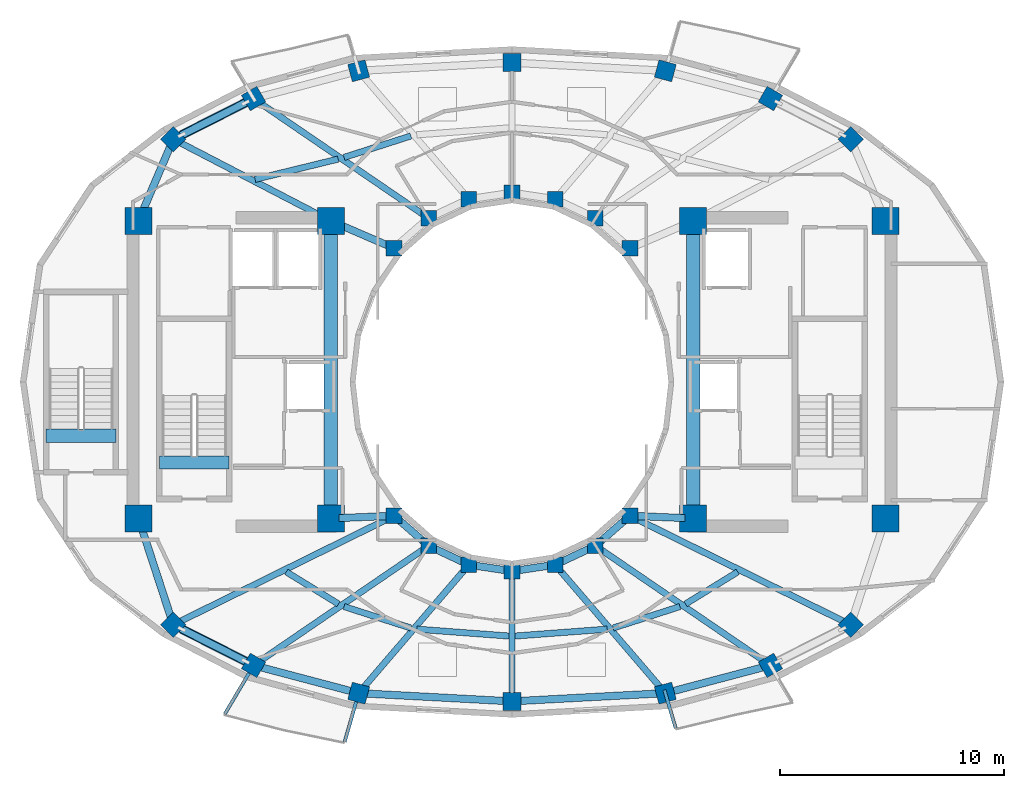
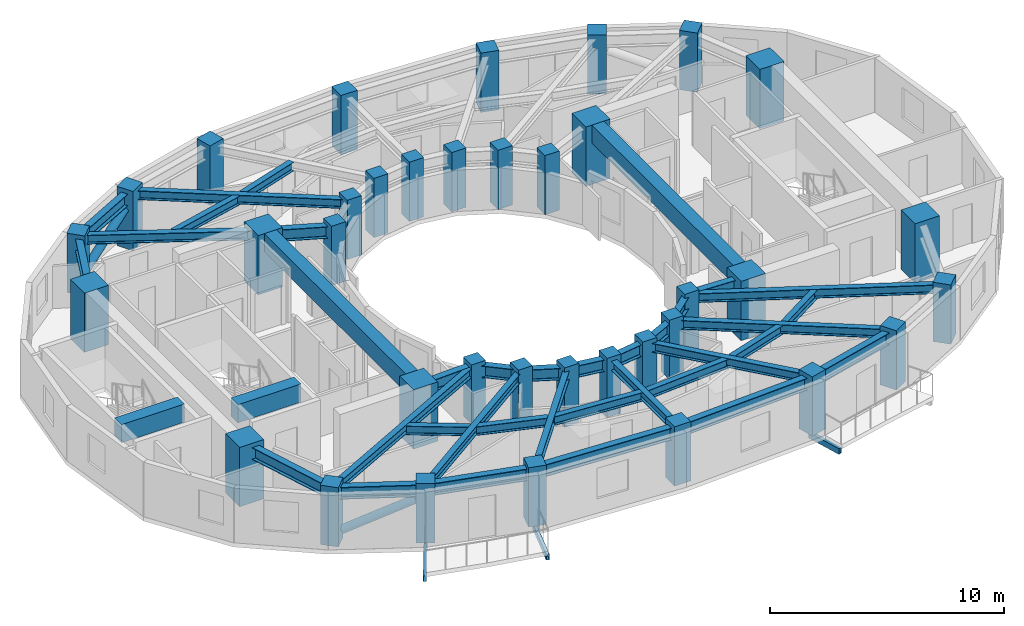
# One storey, part 1 of 10: 41 beams, 36 columns, 2 members.
"""IFC4 building model written with IfcOpenShell, lengths in metres."""

from ifc_helpers import new_model, si_unit, direction, frame, origin, origin_2d, place, context, subcontext, project, spatial, rectangle, hollow_rectangle, hollow_circle, i_section, extrude, material, material_profile, profile_set, type_object, element, save


model = new_model("IFC4")

# Units and contexts
model_context = context("Model", 3, precision=1e-05, world=origin(), true_north=direction((0.0, 1.0)))
body_context = subcontext(model_context, "Body", "Model", "MODEL_VIEW")
ifc_project = project(units=[si_unit("LENGTHUNIT", "METRE"), si_unit("AREAUNIT", "SQUARE_METRE"), si_unit("VOLUMEUNIT", "CUBIC_METRE"), si_unit("PLANEANGLEUNIT", "RADIAN"), si_unit("MASSUNIT", "GRAM", prefix="KILO")], contexts=[model_context])

# Site, building, storey
site_placement = place(None, origin())
site = spatial("IfcSite", under=ifc_project, at=site_placement, CompositionType="ELEMENT")
building_placement = place(site_placement, origin())
building = spatial("IfcBuilding", under=site, at=building_placement, Name="Solvane Sanctuary Tower", CompositionType="ELEMENT")
storey_placement = place(building_placement, frame((0.0, 0.0, 204.699951171875)))
storey = spatial("IfcBuildingStorey", under=building, at=storey_placement, Name="L62", CompositionType="ELEMENT", Elevation=204.699951171875)

# Columns
ifc_material_1 = material(Name="Concrete C50/60", Category="concrete")
ifc_material_profile_1 = material_profile(ifc_material_1, rectangle(XDim=0.699951171875, YDim=0.699951171875, at=origin_2d()), Name="RC700X700")
ifc_profile_set_1 = profile_set([ifc_material_profile_1], Name="Concrete C50/60")
column_type_1 = type_object("IfcColumnType", Name="Column C-RING-Z4 RC700X700", PredefinedType="COLUMN", material=ifc_profile_set_1)
for number, where, z_axis, x_axis, name in (
    (1, (37.27490234375, 28.982177734375, 0.0), (0.0, 0.0, 1.0), (1.0, 0.0, 0.0), "L62 Inner Light-Well Ring Column IC01"),
    (2, (35.72998046875, 30.32666015625, 0.0), (0.0, 0.0, 1.0), (1.0, 0.0, 0.0), "L62 Inner Light-Well Ring Column IC02"),
    (3, (33.930908203125, 31.171630859375, 0.0), (0.0, 0.0, 1.0), (1.0, 0.0, 0.0), "L62 Inner Light-Well Ring Column IC03"),
    (4, (32.0, 31.4599609375, 0.0), (0.0, 0.0, 1.0), (1.0, 0.0, 0.0), "L62 Inner Light-Well Ring Column IC04"),
    (5, (30.069091796875, 31.171630859375, 0.0), (0.0, 0.0, 1.0), (1.0, 0.0, 0.0), "L62 Inner Light-Well Ring Column IC05"),
    (6, (28.27001953125, 30.32666015625, 0.0), (0.0, 0.0, 1.0), (1.0, 0.0, 0.0), "L62 Inner Light-Well Ring Column IC06"),
    (7, (26.72509765625, 28.982177734375, 0.0), (0.0, 0.0, 1.0), (1.0, 0.0, 0.0), "L62 Inner Light-Well Ring Column IC07"),
    (8, (26.72509765625, 17.017822265625, 0.0), (0.0, 0.0, 1.0), (1.0, 0.0, 0.0), "L62 Inner Light-Well Ring Column IC08"),
    (9, (28.27001953125, 15.67333984375, 0.0), (0.0, 0.0, 1.0), (1.0, 0.0, 0.0), "L62 Inner Light-Well Ring Column IC09"),
    (10, (30.069091796875, 14.828369140625, 0.0), (0.0, 0.0, 1.0), (1.0, 0.0, 0.0), "L62 Inner Light-Well Ring Column IC10"),
    (11, (32.0, 14.5400390625, 0.0), (0.0, 0.0, 1.0), (1.0, 0.0, 0.0), "L62 Inner Light-Well Ring Column IC11"),
    (12, (33.930908203125, 14.828369140625, 0.0), (0.0, 0.0, 1.0), (1.0, 0.0, 0.0), "L62 Inner Light-Well Ring Column IC12"),
    (13, (35.72998046875, 15.67333984375, 0.0), (0.0, 0.0, 1.0), (1.0, 0.0, 0.0), "L62 Inner Light-Well Ring Column IC13"),
    (14, (37.27490234375, 17.017822265625, 0.0), (0.0, 0.0, 1.0), (1.0, 0.0, 0.0), "L62 Inner Light-Well Ring Column IC14"),
):
    element("IfcColumn", number, at=place(storey_placement, frame(where, z_axis=z_axis, x_axis=x_axis)), inside=storey, type_object=column_type_1, Name=name, PredefinedType="COLUMN", context=body_context, shape_type="SweptSolid", body=[
        extrude(rectangle(XDim=0.699951171875, YDim=0.699951171875, at=origin_2d()), origin(), (0.0, 0.0, 1.0), 3.10009765625),
    ])
ifc_material_2 = material(Name="Concrete C70/85", Category="concrete")
ifc_material_profile_2 = material_profile(ifc_material_2, rectangle(XDim=1.199951171875, YDim=1.199951171875, at=origin_2d()), Name="RC1200X1200")
ifc_profile_set_2 = profile_set([ifc_material_profile_2], Name="Concrete C70/85")
column_type_2 = type_object("IfcColumnType", Name="Column C-TUBE-Z1 RC1200X1200", PredefinedType="COLUMN", material=ifc_profile_set_2)
for number, where, z_axis, x_axis, name in (
    (15, (15.300048828125, 16.89990234375, 0.0), (0.0, 0.0, 1.0), (1.0, 0.0, 0.0), "L62 Core Corner Column CW1"),
    (16, (23.89990234375, 16.89990234375, 0.0), (0.0, 0.0, 1.0), (1.0, 0.0, 0.0), "L62 Core Corner Column CW2"),
    (17, (23.89990234375, 30.199951171875, 0.0), (0.0, 0.0, 1.0), (1.0, 0.0, 0.0), "L62 Core Corner Column CW3"),
    (18, (15.300048828125, 30.199951171875, 0.0), (0.0, 0.0, 1.0), (1.0, 0.0, 0.0), "L62 Core Corner Column CW4"),
    (19, (40.10009765625, 16.89990234375, 0.0), (0.0, 0.0, 1.0), (1.0, 0.0, 0.0), "L62 Core Corner Column CE1"),
    (20, (48.699951171875, 16.89990234375, 0.0), (0.0, 0.0, 1.0), (1.0, 0.0, 0.0), "L62 Core Corner Column CE2"),
    (21, (48.699951171875, 30.199951171875, 0.0), (0.0, 0.0, 1.0), (1.0, 0.0, 0.0), "L62 Core Corner Column CE3"),
    (22, (40.10009765625, 30.199951171875, 0.0), (0.0, 0.0, 1.0), (1.0, 0.0, 0.0), "L62 Core Corner Column CE4"),
):
    element("IfcColumn", number, at=place(storey_placement, frame(where, z_axis=z_axis, x_axis=x_axis)), inside=storey, type_object=column_type_2, Name=name, PredefinedType="COLUMN", context=body_context, shape_type="SweptSolid", body=[
        extrude(rectangle(XDim=1.199951171875, YDim=1.199951171875, at=origin_2d()), origin(), (0.0, 0.0, 1.0), 3.10009765625),
    ])
ifc_material_profile_3 = material_profile(ifc_material_1, rectangle(XDim=0.800048828125, YDim=0.800048828125, at=origin_2d()), Name="RC800X800")
ifc_profile_set_3 = profile_set([ifc_material_profile_3], Name="Concrete C50/60")
column_type_3 = type_object("IfcColumnType", Name="Column C-TUBE-Z4 RC800X800", PredefinedType="COLUMN", material=ifc_profile_set_3)
for number, where, z_axis, x_axis, name in (
    (23, (47.14501953125, 33.85693359375, 0.0), (0.0, 0.0, 1.0), (0.707106781187, 0.707106781187, 0.0), "L62 Perimeter Tube Column TC01"),
    (24, (43.55517578125, 35.672607421875, 0.0), (0.0, 0.0, 1.0), (0.5, 0.866025403784, 0.0), "L62 Perimeter Tube Column TC02"),
    (25, (38.856201171875, 36.914306640625, 0.0), (0.0, 0.0, 1.0), (0.258819045103, 0.965925826289, 0.0), "L62 Perimeter Tube Column TC03"),
    (26, (32.0, 37.280029296875, 0.0), (0.0, 0.0, 1.0), (0.0, 1.0, 0.0), "L62 Perimeter Tube Column TC04"),
    (27, (25.143798828125, 36.914306640625, 0.0), (0.0, 0.0, 1.0), (-0.258819045103, 0.965925826289, 0.0), "L62 Perimeter Tube Column TC05"),
    (28, (20.44482421875, 35.672607421875, 0.0), (0.0, 0.0, 1.0), (-0.5, 0.866025403784, 0.0), "L62 Perimeter Tube Column TC06"),
    (29, (16.85498046875, 33.85693359375, 0.0), (0.0, 0.0, 1.0), (-0.707106781187, 0.707106781187, 0.0), "L62 Perimeter Tube Column TC07"),
    (30, (16.85498046875, 12.14306640625, 0.0), (0.0, 0.0, 1.0), (-0.707106781187, -0.707106781187, 0.0), "L62 Perimeter Tube Column TC08"),
    (31, (20.44482421875, 10.327392578125, 0.0), (0.0, 0.0, 1.0), (-0.5, -0.866025403784, 0.0), "L62 Perimeter Tube Column TC09"),
    (32, (25.143798828125, 9.085693359375, 0.0), (0.0, 0.0, 1.0), (-0.258819045103, -0.965925826289, 0.0), "L62 Perimeter Tube Column TC10"),
    (33, (32.0, 8.719970703125, 0.0), (0.0, 0.0, 1.0), (0.0, -1.0, 0.0), "L62 Perimeter Tube Column TC11"),
    (34, (38.856201171875, 9.085693359375, 0.0), (0.0, 0.0, 1.0), (0.258819045103, -0.965925826289, 0.0), "L62 Perimeter Tube Column TC12"),
    (35, (43.55517578125, 10.327392578125, 0.0), (0.0, 0.0, 1.0), (0.5, -0.866025403784, 0.0), "L62 Perimeter Tube Column TC13"),
    (36, (47.14501953125, 12.14306640625, 0.0), (0.0, 0.0, 1.0), (0.707106781187, -0.707106781187, 0.0), "L62 Perimeter Tube Column TC14"),
):
    element("IfcColumn", number, at=place(storey_placement, frame(where, z_axis=z_axis, x_axis=x_axis)), inside=storey, type_object=column_type_3, Name=name, PredefinedType="COLUMN", context=body_context, shape_type="SweptSolid", body=[
        extrude(rectangle(XDim=0.800048828125, YDim=0.800048828125, at=origin_2d()), origin(), (0.0, 0.0, 1.0), 3.10009765625),
    ])

# Beams
ifc_material_3 = material(Name="Steel ASTM A500 Grade C", Category="steel")
ifc_material_profile_4 = material_profile(ifc_material_3, hollow_rectangle(XDim=0.14990234375, YDim=0.300048828125, WallThickness=0.010009765625, at=origin_2d()), Name="HSS300X150X10")
ifc_profile_set_4 = profile_set([ifc_material_profile_4], Name="Steel ASTM A500 Grade C")
beam_type_1 = type_object("IfcBeamType", Name="Beam B-BALC-BRK HSS300X150X10", PredefinedType="BEAM", material=ifc_profile_set_4)
beam_1_placement = place(storey_placement, frame((20.521484375, 10.456298828125, -0.3720703125), z_axis=(-0.509809885983, -0.860287091705, 0.0), x_axis=(0.860287091705, -0.509809885983, 0.0)))
element("IfcBeam", 37, at=beam_1_placement, inside=storey, type_object=beam_type_1, Name="L62 Balcony Bracket S1-1", PredefinedType="BEAM", context=body_context, shape_type="SweptSolid", body=[
    extrude(hollow_rectangle(XDim=0.14990234375, YDim=0.300048828125, WallThickness=0.010009765625, at=origin_2d()), origin(), (0.0, 0.0, 1.0), 2.678466796875),
])
beam_2_placement = place(storey_placement, frame((25.185302734375, 9.229736328125, -0.3720703125), z_axis=(-0.27680346203, -0.960926554638, 0.0), x_axis=(0.960926554638, -0.27680346203, 0.0)))
element("IfcBeam", 38, at=beam_2_placement, inside=storey, type_object=beam_type_1, Name="L62 Balcony Bracket S1-2", PredefinedType="BEAM", context=body_context, shape_type="SweptSolid", body=[
    extrude(hollow_rectangle(XDim=0.14990234375, YDim=0.300048828125, WallThickness=0.010009765625, at=origin_2d()), origin(), (0.0, 0.0, 1.0), 2.414794921875),
])
beam_3_placement = place(storey_placement, frame((38.813720703125, 9.2294921875, -0.3720703125), z_axis=(0.283366161068, -0.959011792817, 0.0), x_axis=(0.959011792817, 0.283366161068, 0.0)))
element("IfcBeam", 39, at=beam_3_placement, inside=storey, type_object=beam_type_1, Name="L62 Balcony Bracket S2-1", PredefinedType="BEAM", context=body_context, shape_type="SweptSolid", body=[
    extrude(hollow_rectangle(XDim=0.14990234375, YDim=0.300048828125, WallThickness=0.010009765625, at=origin_2d()), origin(), (0.0, 0.0, 1.0), 1.784423828125),
])
ifc_material_profile_5 = material_profile(ifc_material_2, rectangle(XDim=0.60009765625, YDim=0.949951171875, at=origin_2d()), Name="RC600X950")
ifc_profile_set_5 = profile_set([ifc_material_profile_5], Name="Concrete C70/85")
beam_type_2 = type_object("IfcBeamType", Name="Beam B-COUPLE RC600X950", PredefinedType="LINTEL", material=ifc_profile_set_5)
for number, where, z_axis, x_axis, name in (
    (40, (23.89990234375, 17.35009765625, 2.625), (0.0, 1.0, 0.0), (-1.0, 0.0, 0.0), "L62 West Core Coupling Lintel"),
    (41, (40.10009765625, 17.35009765625, 2.625), (0.0, 1.0, 0.0), (-1.0, 0.0, 0.0), "L62 East Core Coupling Lintel"),
):
    element("IfcBeam", number, at=place(storey_placement, frame(where, z_axis=z_axis, x_axis=x_axis)), inside=storey, type_object=beam_type_2, Name=name, PredefinedType="LINTEL", context=body_context, shape_type="SweptSolid", body=[
        extrude(rectangle(XDim=0.60009765625, YDim=0.949951171875, at=origin_2d()), origin(), (0.0, 0.0, 1.0), 12.39990234375),
    ])
for number, where, z_axis, x_axis, name in (
    (42, (16.22998046875, 19.399169921875, 2.625), (1.0, 0.0, 0.0), (0.0, 1.0, 0.0), "L62 ST-1 Stair Floor Landing Trimmer"),
    (43, (11.169921875, 20.59912109375, 2.625), (1.0, 0.0, 0.0), (0.0, 1.0, 0.0), "L62 ST-3 Stair Floor Landing Trimmer"),
):
    element("IfcBeam", number, at=place(storey_placement, frame(where, z_axis=z_axis, x_axis=x_axis)), inside=storey, type_object=beam_type_2, Name=name, PredefinedType="LINTEL", context=body_context, shape_type="SweptSolid", body=[
        extrude(rectangle(XDim=0.60009765625, YDim=0.949951171875, at=origin_2d()), origin(), (0.0, 0.0, 1.0), 3.1201171875),
    ])
ifc_material_4 = material(Name="Steel ASTM A992 Grade 50", Category="steel")
ifc_material_profile_6 = material_profile(ifc_material_4, i_section(OverallWidth=0.282958984375, OverallDepth=0.471923828125, WebThickness=0.013671875, FlangeThickness=0.022216796875, FilletRadius=0.013916015625, at=origin_2d()), Name="W18X97")
ifc_profile_set_6 = profile_set([ifc_material_profile_6], Name="Steel ASTM A992 Grade 50")
beam_type_3 = type_object("IfcBeamType", Name="Beam B-RAD-Z4 W18X97", PredefinedType="JOIST", material=ifc_profile_set_6)
beam_4_placement = place(storey_placement, frame((28.038818359375, 30.484619140625, 2.64208984375), z_axis=(-0.825707980649, 0.564097802418, 0.0), x_axis=(-0.564097802418, -0.825707980649, 0.0)))
element("IfcBeam", 44, at=beam_4_placement, inside=storey, type_object=beam_type_3, Name="L62 Radial Composite Floor Beam 06", PredefinedType="JOIST", context=body_context, shape_type="SweptSolid", body=[
    extrude(i_section(OverallWidth=0.282958984375, OverallDepth=0.471923828125, WebThickness=0.013671875, FlangeThickness=0.022216796875, FilletRadius=0.013916015625, at=origin_2d()), origin(), (0.0, 0.0, 1.0), 8.9169921875),
])
beam_5_placement = place(storey_placement, frame((23.58056640625, 30.365966796875, 2.64208984375), z_axis=(-0.887553429209, 0.460704797348, 0.0), x_axis=(-0.460704797348, -0.887553429209, 0.0)))
element("IfcBeam", 45, at=beam_5_placement, inside=storey, type_object=beam_type_3, Name="L62 Radial Composite Floor Beam 07", PredefinedType="JOIST", context=body_context, shape_type="SweptSolid", body=[
    extrude(i_section(OverallWidth=0.282958984375, OverallDepth=0.471923828125, WebThickness=0.013671875, FlangeThickness=0.022216796875, FilletRadius=0.013916015625, at=origin_2d()), origin(), (0.0, 0.0, 1.0), 7.297607421875),
])
beam_6_placement = place(storey_placement, frame((26.47412109375, 16.893798828125, 2.64208984375), z_axis=(-0.896608256549, -0.442824608946, 0.0), x_axis=(0.442824608946, -0.896608256549, 0.0)))
element("IfcBeam", 46, at=beam_6_placement, inside=storey, type_object=beam_type_3, Name="L62 Radial Composite Floor Beam 08", PredefinedType="JOIST", context=body_context, shape_type="SweptSolid", body=[
    extrude(i_section(OverallWidth=0.282958984375, OverallDepth=0.471923828125, WebThickness=0.013671875, FlangeThickness=0.022216796875, FilletRadius=0.013916015625, at=origin_2d()), origin(), (0.0, 0.0, 1.0), 10.4482421875),
])
beam_7_placement = place(storey_placement, frame((28.038818359375, 15.515380859375, 2.64208984375), z_axis=(-0.825707980649, -0.564097802418, 0.0), x_axis=(0.564097802418, -0.825707980649, 0.0)))
element("IfcBeam", 47, at=beam_7_placement, inside=storey, type_object=beam_type_3, Name="L62 Radial Composite Floor Beam 09", PredefinedType="JOIST", context=body_context, shape_type="SweptSolid", body=[
    extrude(i_section(OverallWidth=0.282958984375, OverallDepth=0.471923828125, WebThickness=0.013671875, FlangeThickness=0.022216796875, FilletRadius=0.013916015625, at=origin_2d()), origin(), (0.0, 0.0, 1.0), 8.9169921875),
])
beam_8_placement = place(storey_placement, frame((29.886962890625, 14.61572265625, 2.64208984375), z_axis=(-0.651023809724, -0.759057309544, 0.0), x_axis=(0.759057309544, -0.651023809724, 0.0)))
element("IfcBeam", 48, at=beam_8_placement, inside=storey, type_object=beam_type_3, Name="L62 Radial Composite Floor Beam 10", PredefinedType="JOIST", context=body_context, shape_type="SweptSolid", body=[
    extrude(i_section(OverallWidth=0.282958984375, OverallDepth=0.471923828125, WebThickness=0.013671875, FlangeThickness=0.022216796875, FilletRadius=0.013916015625, at=origin_2d()), origin(), (0.0, 0.0, 1.0), 7.005615234375),
])
beam_9_placement = place(storey_placement, frame((32.0, 14.260009765625, 2.64208984375), z_axis=(0.0, -1.0, 0.0), x_axis=(1.0, 0.0, 0.0)))
element("IfcBeam", 49, at=beam_9_placement, inside=storey, type_object=beam_type_3, Name="L62 Radial Composite Floor Beam 11", PredefinedType="JOIST", context=body_context, shape_type="SweptSolid", body=[
    extrude(i_section(OverallWidth=0.282958984375, OverallDepth=0.471923828125, WebThickness=0.013671875, FlangeThickness=0.022216796875, FilletRadius=0.013916015625, at=origin_2d()), origin(), (0.0, 0.0, 1.0), 5.260009765625),
])
beam_10_placement = place(storey_placement, frame((34.113037109375, 14.61572265625, 2.64208984375), z_axis=(0.651023809724, -0.759057309544, 0.0), x_axis=(0.759057309544, 0.651023809724, 0.0)))
element("IfcBeam", 50, at=beam_10_placement, inside=storey, type_object=beam_type_3, Name="L62 Radial Composite Floor Beam 12", PredefinedType="JOIST", context=body_context, shape_type="SweptSolid", body=[
    extrude(i_section(OverallWidth=0.282958984375, OverallDepth=0.471923828125, WebThickness=0.013671875, FlangeThickness=0.022216796875, FilletRadius=0.013916015625, at=origin_2d()), origin(), (0.0, 0.0, 1.0), 7.005615234375),
])
beam_11_placement = place(storey_placement, frame((35.961181640625, 15.515380859375, 2.64208984375), z_axis=(0.825707980649, -0.564097802418, 0.0), x_axis=(0.564097802418, 0.825707980649, 0.0)))
element("IfcBeam", 51, at=beam_11_placement, inside=storey, type_object=beam_type_3, Name="L62 Radial Composite Floor Beam 13", PredefinedType="JOIST", context=body_context, shape_type="SweptSolid", body=[
    extrude(i_section(OverallWidth=0.282958984375, OverallDepth=0.471923828125, WebThickness=0.013671875, FlangeThickness=0.022216796875, FilletRadius=0.013916015625, at=origin_2d()), origin(), (0.0, 0.0, 1.0), 8.9169921875),
])
beam_12_placement = place(storey_placement, frame((37.52587890625, 16.893798828125, 2.64208984375), z_axis=(0.896608256549, -0.442824608946, 0.0), x_axis=(0.442824608946, 0.896608256549, 0.0)))
element("IfcBeam", 52, at=beam_12_placement, inside=storey, type_object=beam_type_3, Name="L62 Radial Composite Floor Beam 14", PredefinedType="JOIST", context=body_context, shape_type="SweptSolid", body=[
    extrude(i_section(OverallWidth=0.282958984375, OverallDepth=0.471923828125, WebThickness=0.013671875, FlangeThickness=0.022216796875, FilletRadius=0.013916015625, at=origin_2d()), origin(), (0.0, 0.0, 1.0), 10.4482421875),
])
ifc_material_profile_7 = material_profile(ifc_material_4, i_section(OverallWidth=0.324951171875, OverallDepth=0.615966796875, WebThickness=0.013916015625, FlangeThickness=0.021484375, FilletRadius=0.01611328125, at=origin_2d()), Name="W24X117")
ifc_profile_set_7 = profile_set([ifc_material_profile_7], Name="Steel ASTM A992 Grade 50")
beam_type_4 = type_object("IfcBeamType", Name="Beam B-RING-IN2 W24X117", PredefinedType="BEAM", material=ifc_profile_set_7)
beam_13_placement = place(storey_placement, frame((24.230712890625, 30.0576171875, 2.570068359375), z_axis=(0.918283854026, -0.395922673554, 0.0), x_axis=(0.395922673554, 0.918283854026, 0.0)))
element("IfcBeam", 53, at=beam_13_placement, inside=storey, type_object=beam_type_4, Name="L62 Inner Light-Well Ring Beam CW3-IC07", PredefinedType="BEAM", context=body_context, shape_type="SweptSolid", body=[
    extrude(i_section(OverallWidth=0.324951171875, OverallDepth=0.615966796875, WebThickness=0.013916015625, FlangeThickness=0.021484375, FilletRadius=0.01611328125, at=origin_2d()), origin(), (0.0, 0.0, 1.0), 2.396240234375),
])
beam_14_placement = place(storey_placement, frame((24.259765625, 16.9150390625, 2.570068359375), z_axis=(0.999129127803, 0.041725124022, 0.0), x_axis=(-0.041725124022, 0.999129127803, 0.0)))
element("IfcBeam", 54, at=beam_14_placement, inside=storey, type_object=beam_type_4, Name="L62 Inner Light-Well Ring Beam CW2-IC08", PredefinedType="BEAM", context=body_context, shape_type="SweptSolid", body=[
    extrude(i_section(OverallWidth=0.324951171875, OverallDepth=0.615966796875, WebThickness=0.013916015625, FlangeThickness=0.021484375, FilletRadius=0.01611328125, at=origin_2d()), origin(), (0.0, 0.0, 1.0), 2.1474609375),
])
beam_15_placement = place(storey_placement, frame((26.96630859375, 16.807861328125, 2.570068359375), z_axis=(0.754388985763, -0.656427648839, 0.0), x_axis=(0.656427648839, 0.754388985763, 0.0)))
element("IfcBeam", 55, at=beam_15_placement, inside=storey, type_object=beam_type_4, Name="L62 Inner Light-Well Ring Beam IC08-IC09", PredefinedType="BEAM", context=body_context, shape_type="SweptSolid", body=[
    extrude(i_section(OverallWidth=0.324951171875, OverallDepth=0.615966796875, WebThickness=0.013916015625, FlangeThickness=0.021484375, FilletRadius=0.01611328125, at=origin_2d()), origin(), (0.0, 0.0, 1.0), 1.408203125),
])
beam_16_placement = place(storey_placement, frame((28.5595703125, 15.537353515625, 2.570068359375), z_axis=(0.905134542189, -0.425125229241, 0.0), x_axis=(0.425125229241, 0.905134542189, 0.0)))
element("IfcBeam", 56, at=beam_16_placement, inside=storey, type_object=beam_type_4, Name="L62 Inner Light-Well Ring Beam IC09-IC10", PredefinedType="BEAM", context=body_context, shape_type="SweptSolid", body=[
    extrude(i_section(OverallWidth=0.324951171875, OverallDepth=0.615966796875, WebThickness=0.013916015625, FlangeThickness=0.021484375, FilletRadius=0.01611328125, at=origin_2d()), origin(), (0.0, 0.0, 1.0), 1.347900390625),
])
for number, where, z_axis, x_axis, name in (
    (57, (30.3857421875, 14.781005859375, 2.570068359375), (0.989056121481, -0.147539786368, 0.0), (0.147539786368, 0.989056121481, 0.0), "L62 Inner Light-Well Ring Beam IC10-IC11"),
    (58, (32.31640625, 14.58740234375, 2.570068359375), (0.989056121481, 0.147539786368, 0.0), (-0.147539786368, 0.989056121481, 0.0), "L62 Inner Light-Well Ring Beam IC11-IC12"),
):
    element("IfcBeam", number, at=place(storey_placement, frame(where, z_axis=z_axis, x_axis=x_axis)), inside=storey, type_object=beam_type_4, Name=name, PredefinedType="BEAM", context=body_context, shape_type="SweptSolid", body=[
        extrude(i_section(OverallWidth=0.324951171875, OverallDepth=0.615966796875, WebThickness=0.013916015625, FlangeThickness=0.021484375, FilletRadius=0.01611328125, at=origin_2d()), origin(), (0.0, 0.0, 1.0), 1.312255859375),
    ])
beam_17_placement = place(storey_placement, frame((34.220458984375, 14.96435546875, 2.570068359375), z_axis=(0.905134542189, 0.425125229241, 0.0), x_axis=(-0.425125229241, 0.905134542189, 0.0)))
element("IfcBeam", 59, at=beam_17_placement, inside=storey, type_object=beam_type_4, Name="L62 Inner Light-Well Ring Beam IC12-IC13", PredefinedType="BEAM", context=body_context, shape_type="SweptSolid", body=[
    extrude(i_section(OverallWidth=0.324951171875, OverallDepth=0.615966796875, WebThickness=0.013916015625, FlangeThickness=0.021484375, FilletRadius=0.01611328125, at=origin_2d()), origin(), (0.0, 0.0, 1.0), 1.347900390625),
])
beam_18_placement = place(storey_placement, frame((35.971435546875, 15.883544921875, 2.570068359375), z_axis=(0.754388985763, 0.656427648839, 0.0), x_axis=(-0.656427648839, 0.754388985763, 0.0)))
element("IfcBeam", 60, at=beam_18_placement, inside=storey, type_object=beam_type_4, Name="L62 Inner Light-Well Ring Beam IC13-IC14", PredefinedType="BEAM", context=body_context, shape_type="SweptSolid", body=[
    extrude(i_section(OverallWidth=0.324951171875, OverallDepth=0.615966796875, WebThickness=0.013916015625, FlangeThickness=0.021484375, FilletRadius=0.01611328125, at=origin_2d()), origin(), (0.0, 0.0, 1.0), 1.408203125),
])
beam_19_placement = place(storey_placement, frame((37.5947265625, 17.004638671875, 2.570068359375), z_axis=(0.999129127803, -0.041725124022, 0.0), x_axis=(0.041725124022, 0.999129127803, 0.0)))
element("IfcBeam", 61, at=beam_19_placement, inside=storey, type_object=beam_type_4, Name="L62 Inner Light-Well Ring Beam IC14-CE1", PredefinedType="BEAM", context=body_context, shape_type="SweptSolid", body=[
    extrude(i_section(OverallWidth=0.324951171875, OverallDepth=0.615966796875, WebThickness=0.013916015625, FlangeThickness=0.021484375, FilletRadius=0.01611328125, at=origin_2d()), origin(), (0.0, 0.0, 1.0), 2.1474609375),
])
ifc_material_profile_8 = material_profile(ifc_material_4, i_section(OverallWidth=0.280029296875, OverallDepth=0.462890625, WebThickness=0.0107421875, FlangeThickness=0.017333984375, FilletRadius=0.013916015625, at=origin_2d()), Name="W18X76")
ifc_profile_set_8 = profile_set([ifc_material_profile_8], Name="Steel ASTM A992 Grade 50")
beam_type_5 = type_object("IfcBeamType", Name="Beam B-SEC-JOIST W18X76", PredefinedType="JOIST", material=ifc_profile_set_8)
beam_20_placement = place(storey_placement, frame((20.510009765625, 32.060791015625, 2.646484375), z_axis=(0.971494163165, 0.237063474489, 0.0), x_axis=(-0.237063474489, 0.971494163165, 0.0)))
element("IfcBeam", 62, at=beam_20_placement, inside=storey, type_object=beam_type_5, Name="L62 Secondary Circumferential Joist 07-06", PredefinedType="JOIST", context=body_context, shape_type="SweptSolid", body=[
    extrude(i_section(OverallWidth=0.280029296875, OverallDepth=0.462890625, WebThickness=0.0107421875, FlangeThickness=0.017333984375, FilletRadius=0.013916015625, at=origin_2d()), origin(), (0.0, 0.0, 1.0), 3.82373046875),
])
beam_21_placement = place(storey_placement, frame((24.487548828125, 33.04150390625, 2.646484375), z_axis=(0.952124803756, 0.305709597612, 0.0), x_axis=(-0.305709597612, 0.952124803756, 0.0)))
element("IfcBeam", 63, at=beam_21_placement, inside=storey, type_object=beam_type_5, Name="L62 Secondary Circumferential Joist 06-05", PredefinedType="JOIST", context=body_context, shape_type="SweptSolid", body=[
    extrude(i_section(OverallWidth=0.280029296875, OverallDepth=0.462890625, WebThickness=0.0107421875, FlangeThickness=0.017333984375, FilletRadius=0.013916015625, at=origin_2d()), origin(), (0.0, 0.0, 1.0), 3.139404296875),
])
beam_22_placement = place(storey_placement, frame((21.90625, 14.509033203125, 2.646484375), z_axis=(0.851639971856, -0.524127234875, 0.0), x_axis=(0.524127234875, 0.851639971856, 0.0)))
element("IfcBeam", 64, at=beam_22_placement, inside=storey, type_object=beam_type_5, Name="L62 Secondary Circumferential Joist 08-09", PredefinedType="JOIST", context=body_context, shape_type="SweptSolid", body=[
    extrude(i_section(OverallWidth=0.280029296875, OverallDepth=0.462890625, WebThickness=0.0107421875, FlangeThickness=0.017333984375, FilletRadius=0.013916015625, at=origin_2d()), origin(), (0.0, 0.0, 1.0), 2.74169921875),
])
beam_23_placement = place(storey_placement, frame((24.487548828125, 12.958740234375, 2.646484375), z_axis=(0.9521021652, -0.305780095856, 0.0), x_axis=(0.305780095856, 0.9521021652, 0.0)))
element("IfcBeam", 65, at=beam_23_placement, inside=storey, type_object=beam_type_5, Name="L62 Secondary Circumferential Joist 09-10", PredefinedType="JOIST", context=body_context, shape_type="SweptSolid", body=[
    extrude(i_section(OverallWidth=0.280029296875, OverallDepth=0.462890625, WebThickness=0.0107421875, FlangeThickness=0.017333984375, FilletRadius=0.013916015625, at=origin_2d()), origin(), (0.0, 0.0, 1.0), 3.139404296875),
])
for number, where, z_axis, x_axis, name in (
    (66, (27.74267578125, 11.947021484375, 2.646484375), (0.997239150169, -0.074256833823, 0.0), (0.074256833823, 0.997239150169, 0.0), "L62 Secondary Circumferential Joist 10-11"),
    (67, (32.135986328125, 11.64013671875, 2.646484375), (0.997239150169, 0.074256833823, 0.0), (-0.074256833823, 0.997239150169, 0.0), "L62 Secondary Circumferential Joist 11-12"),
):
    element("IfcBeam", number, at=place(storey_placement, frame(where, z_axis=z_axis, x_axis=x_axis)), inside=storey, type_object=beam_type_5, Name=name, PredefinedType="JOIST", context=body_context, shape_type="SweptSolid", body=[
        extrude(i_section(OverallWidth=0.280029296875, OverallDepth=0.462890625, WebThickness=0.0107421875, FlangeThickness=0.017333984375, FilletRadius=0.013916015625, at=origin_2d()), origin(), (0.0, 0.0, 1.0), 4.1328125),
    ])
beam_24_placement = place(storey_placement, frame((36.5234375, 11.998779296875, 2.646484375), z_axis=(0.9521021652, 0.305780095856, 0.0), x_axis=(-0.305780095856, 0.9521021652, 0.0)))
element("IfcBeam", 68, at=beam_24_placement, inside=storey, type_object=beam_type_5, Name="L62 Secondary Circumferential Joist 12-13", PredefinedType="JOIST", context=body_context, shape_type="SweptSolid", body=[
    extrude(i_section(OverallWidth=0.280029296875, OverallDepth=0.462890625, WebThickness=0.0107421875, FlangeThickness=0.017333984375, FilletRadius=0.013916015625, at=origin_2d()), origin(), (0.0, 0.0, 1.0), 3.139404296875),
])
beam_25_placement = place(storey_placement, frame((39.7587890625, 13.072021484375, 2.646484375), z_axis=(0.851639971856, 0.524127234875, 0.0), x_axis=(-0.524127234875, 0.851639971856, 0.0)))
element("IfcBeam", 69, at=beam_25_placement, inside=storey, type_object=beam_type_5, Name="L62 Secondary Circumferential Joist 13-14", PredefinedType="JOIST", context=body_context, shape_type="SweptSolid", body=[
    extrude(i_section(OverallWidth=0.280029296875, OverallDepth=0.462890625, WebThickness=0.0107421875, FlangeThickness=0.017333984375, FilletRadius=0.013916015625, at=origin_2d()), origin(), (0.0, 0.0, 1.0), 2.74169921875),
])
ifc_material_profile_9 = material_profile(ifc_material_4, i_section(OverallWidth=0.327880859375, OverallDepth=0.6279296875, WebThickness=0.0166015625, FlangeThickness=0.027587890625, FilletRadius=0.01611328125, at=origin_2d()), Name="W24X146")
ifc_profile_set_9 = profile_set([ifc_material_profile_9], Name="Steel ASTM A992 Grade 50")
beam_type_6 = type_object("IfcBeamType", Name="Beam B-SPAND-Z3 W24X146", PredefinedType="SPANDREL", material=ifc_profile_set_9)
beam_26_placement = place(storey_placement, frame((15.40966796875, 30.457763671875, 2.56396484375), z_axis=(0.391328410333, 0.920251093597, 0.0), x_axis=(-0.920251093597, 0.391328410333, 0.0)))
element("IfcBeam", 70, at=beam_26_placement, inside=storey, type_object=beam_type_6, Name="L62 Perimeter Spandrel Beam CW4-TC07", PredefinedType="SPANDREL", context=body_context, shape_type="SweptSolid", body=[
    extrude(i_section(OverallWidth=0.327880859375, OverallDepth=0.6279296875, WebThickness=0.0166015625, FlangeThickness=0.027587890625, FilletRadius=0.01611328125, at=origin_2d()), origin(), (0.0, 0.0, 1.0), 3.413818359375),
])
beam_27_placement = place(storey_placement, frame((17.10498046875, 33.9833984375, 2.56396484375), z_axis=(0.892344822899, 0.451354314308, 0.0), x_axis=(-0.451354314308, 0.892344822899, 0.0)))
element("IfcBeam", 71, at=beam_27_placement, inside=storey, type_object=beam_type_6, Name="L62 Perimeter Spandrel Beam TC07-TC06", PredefinedType="SPANDREL", context=body_context, shape_type="SweptSolid", body=[
    extrude(i_section(OverallWidth=0.327880859375, OverallDepth=0.6279296875, WebThickness=0.0166015625, FlangeThickness=0.027587890625, FilletRadius=0.01611328125, at=origin_2d()), origin(), (0.0, 0.0, 1.0), 3.462890625),
])
beam_28_placement = place(storey_placement, frame((15.386962890625, 16.6337890625, 2.56396484375), z_axis=(0.310735038966, -0.950496573144, 0.0), x_axis=(0.950496573144, 0.310735038966, 0.0)))
element("IfcBeam", 72, at=beam_28_placement, inside=storey, type_object=beam_type_6, Name="L62 Perimeter Spandrel Beam CW1-TC08", PredefinedType="SPANDREL", context=body_context, shape_type="SweptSolid", body=[
    extrude(i_section(OverallWidth=0.327880859375, OverallDepth=0.6279296875, WebThickness=0.0166015625, FlangeThickness=0.027587890625, FilletRadius=0.01611328125, at=origin_2d()), origin(), (0.0, 0.0, 1.0), 4.444580078125),
])
beam_29_placement = place(storey_placement, frame((17.10498046875, 12.0166015625, 2.56396484375), z_axis=(0.892344822899, -0.451354314308, 0.0), x_axis=(0.451354314308, 0.892344822899, 0.0)))
element("IfcBeam", 73, at=beam_29_placement, inside=storey, type_object=beam_type_6, Name="L62 Perimeter Spandrel Beam TC08-TC09", PredefinedType="SPANDREL", context=body_context, shape_type="SweptSolid", body=[
    extrude(i_section(OverallWidth=0.327880859375, OverallDepth=0.6279296875, WebThickness=0.0166015625, FlangeThickness=0.027587890625, FilletRadius=0.01611328125, at=origin_2d()), origin(), (0.0, 0.0, 1.0), 3.462890625),
])
beam_30_placement = place(storey_placement, frame((20.715576171875, 10.255859375, 2.56396484375), z_axis=(0.966816659466, -0.255471225343, 0.0), x_axis=(0.255471225343, 0.966816659466, 0.0)))
element("IfcBeam", 74, at=beam_30_placement, inside=storey, type_object=beam_type_6, Name="L62 Perimeter Spandrel Beam TC09-TC10", PredefinedType="SPANDREL", context=body_context, shape_type="SweptSolid", body=[
    extrude(i_section(OverallWidth=0.327880859375, OverallDepth=0.6279296875, WebThickness=0.0166015625, FlangeThickness=0.027587890625, FilletRadius=0.01611328125, at=origin_2d()), origin(), (0.0, 0.0, 1.0), 4.300537109375),
])
for number, where, z_axis, x_axis, name in (
    (75, (25.423583984375, 9.07080078125, 2.56396484375), (0.998579926022, -0.05327411516, 0.0), (0.05327411516, 0.998579926022, 0.0), "L62 Perimeter Spandrel Beam TC10-TC11"),
    (76, (32.279541015625, 8.73486328125, 2.56396484375), (0.998579926022, 0.05327411516, 0.0), (-0.05327411516, 0.998579926022, 0.0), "L62 Perimeter Spandrel Beam TC11-TC12"),
):
    element("IfcBeam", number, at=place(storey_placement, frame(where, z_axis=z_axis, x_axis=x_axis)), inside=storey, type_object=beam_type_6, Name=name, PredefinedType="SPANDREL", context=body_context, shape_type="SweptSolid", body=[
        extrude(i_section(OverallWidth=0.327880859375, OverallDepth=0.6279296875, WebThickness=0.0166015625, FlangeThickness=0.027587890625, FilletRadius=0.01611328125, at=origin_2d()), origin(), (0.0, 0.0, 1.0), 6.305908203125),
    ])
beam_31_placement = place(storey_placement, frame((39.126708984375, 9.1572265625, 2.56396484375), z_axis=(0.966816659466, 0.255471225343, 0.0), x_axis=(-0.255471225343, 0.966816659466, 0.0)))
element("IfcBeam", 77, at=beam_31_placement, inside=storey, type_object=beam_type_6, Name="L62 Perimeter Spandrel Beam TC12-TC13", PredefinedType="SPANDREL", context=body_context, shape_type="SweptSolid", body=[
    extrude(i_section(OverallWidth=0.327880859375, OverallDepth=0.6279296875, WebThickness=0.0166015625, FlangeThickness=0.027587890625, FilletRadius=0.01611328125, at=origin_2d()), origin(), (0.0, 0.0, 1.0), 4.300537109375),
])

# Members
ifc_material_profile_10 = material_profile(ifc_material_4, hollow_circle(Radius=0.202880859375, WallThickness=0.012451171875, at=origin_2d()), Name="CHS406X12.5")
ifc_profile_set_10 = profile_set([ifc_material_profile_10], Name="Steel ASTM A992 Grade 50")
member_type = type_object("IfcMemberType", Name="Member M-TUBE-Z3 CHS406X12.5", PredefinedType="BRACE", material=ifc_profile_set_10)
for number, where, z_axis, x_axis, name in (
    (78, (17.239013671875, 34.051025390625, 0.579833984375), (0.809168494131, 0.409313786141, 0.4215549461), (-0.451381225256, 0.892331210642, 0.0), "L62 Perimeter Braced-Tube Diagonal NW"),
    (79, (17.239013671875, 11.948974609375, 0.579833984375), (0.809168494131, -0.409313786141, 0.4215549461), (0.451381225256, 0.892331210642, 0.0), "L62 Perimeter Braced-Tube Diagonal SW"),
):
    element("IfcMember", number, at=place(storey_placement, frame(where, z_axis=z_axis, x_axis=x_axis)), inside=storey, type_object=member_type, Name=name, PredefinedType="BRACE", context=body_context, shape_type="SweptSolid", body=[
        extrude(hollow_circle(Radius=0.202880859375, WallThickness=0.012451171875, at=origin_2d()), origin(), (0.0, 0.0, 1.0), 3.51025390625),
    ])

save(model, "model.ifc")
